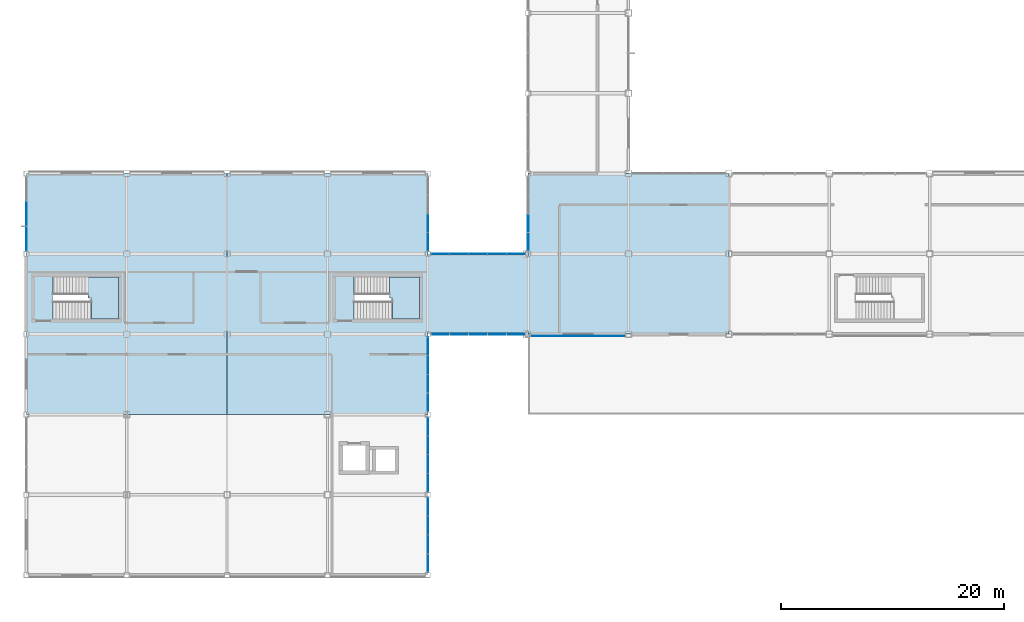
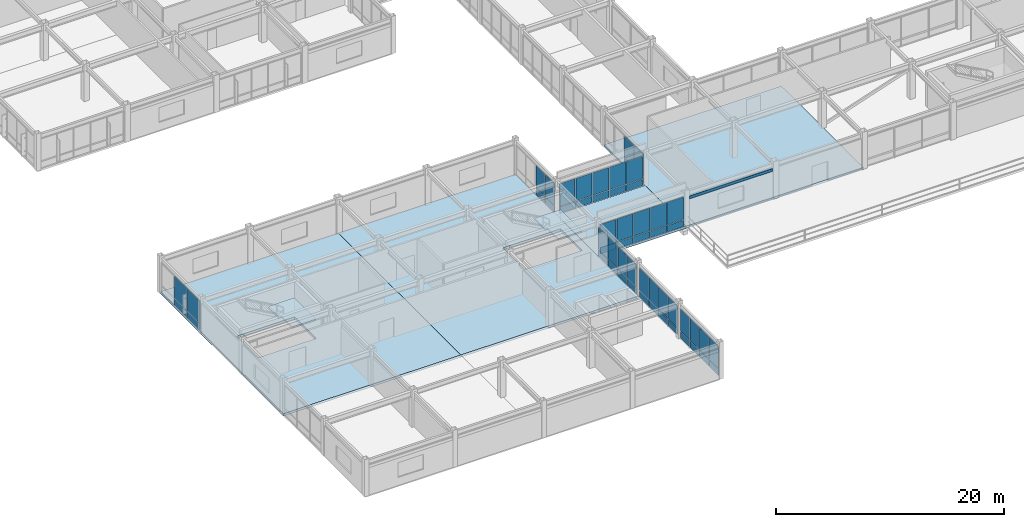
# One storey, part 89 of 122: 57 plates, 6 slabs, 10 elements without a shape of their own.
"""IFC4 building model written with IfcOpenShell, lengths in metres."""

from ifc_helpers import new_model, si_unit, direction, frame, origin, origin_2d, place, context, subcontext, project, spatial, polyline, rectangle, outline, extrude, material, layer, layer_set, type_object, element, aggregate, save


model = new_model("IFC4")

# Units and contexts
model_context = context("Model", 3, precision=1e-05, world=origin(), true_north=direction((0.0, 1.0)))
body_context = subcontext(model_context, "Body", "Model", "MODEL_VIEW")
ifc_project = project(units=[si_unit("LENGTHUNIT", "METRE"), si_unit("AREAUNIT", "SQUARE_METRE"), si_unit("VOLUMEUNIT", "CUBIC_METRE"), si_unit("PLANEANGLEUNIT", "RADIAN"), si_unit("MASSUNIT", "GRAM", prefix="KILO")], contexts=[model_context])

# Site, building, storey
site_placement = place(None, origin())
site = spatial("IfcSite", under=ifc_project, at=site_placement, CompositionType="ELEMENT")
building_placement = place(site_placement, origin())
building = spatial("IfcBuilding", under=site, at=building_placement, Name="Kazanami Central Library", CompositionType="ELEMENT")
storey_placement = place(building_placement, frame((0.0, 0.0, 4.800048828125)))
storey = spatial("IfcBuildingStorey", under=building, at=storey_placement, Name="L02", CompositionType="ELEMENT", Elevation=4.800048828125)

# Curtain wall, plates
ifc_material_1 = material(Name="Acid-Etched Low-E Laminated Glass", Category="glass")
curtain_wall_type_1 = type_object("IfcCurtainWallType", Name="CW-8550x3290-M180", PredefinedType="USERDEFINED", material=ifc_material_1)
curtain_wall_1_placement = place(storey_placement, origin())
curtain_wall_1 = element("IfcCurtainWall", 1, at=curtain_wall_1_placement, inside=storey, type_object=curtain_wall_type_1, Name="Covered Link Bridge Curtain Wall CW-12 L02 S-D-04", ObjectType="UNITISED CURTAIN WALL", PredefinedType="USERDEFINED")
ifc_material_2 = material(Name="Low-E Insulated Triple Glass", Category="glass")
ifc_layer_1 = layer(ifc_material_2, 0.0400390625, Name="Low-E Insulated Triple Glass")
ifc_layer_set_1 = layer_set([ifc_layer_1], Name="Low-E Insulated Triple Glass")
plate_type_1 = type_object("IfcPlateType", Name="PLT-CW-P3", PredefinedType="CURTAIN_PANEL", material=ifc_layer_set_1)
plate_1_placement = place(storey_placement, frame((37.094970703125, 21.60009765625, 0.81005859375), z_axis=(0.0, 0.0, 1.0), x_axis=(1.0, 0.0, 0.0)))
plate_1 = element("IfcPlate", 2, at=plate_1_placement, type_object=plate_type_1, Name="CW-12 panel 1.2", PredefinedType="CURTAIN_PANEL", context=body_context, shape_type="SweptSolid", body=[
    extrude(rectangle(XDim=1.6201171875, YDim=0.0400390625, at=origin_2d()), origin(), (0.0, 0.0, 1.0), 2.419921875),
])
plate_2_placement = place(storey_placement, frame((38.7900390625, 21.60009765625, 0.81005859375), z_axis=(0.0, 0.0, 1.0), x_axis=(1.0, 0.0, 0.0)))
plate_2 = element("IfcPlate", 3, at=plate_2_placement, type_object=plate_type_1, Name="CW-12 panel 2.2", PredefinedType="CURTAIN_PANEL", context=body_context, shape_type="SweptSolid", body=[
    extrude(rectangle(XDim=1.64990234375, YDim=0.0400390625, at=origin_2d()), origin(), (0.0, 0.0, 1.0), 2.419921875),
])
plate_3_placement = place(storey_placement, frame((40.5, 21.60009765625, 0.81005859375), z_axis=(0.0, 0.0, 1.0), x_axis=(1.0, 0.0, 0.0)))
plate_3 = element("IfcPlate", 4, at=plate_3_placement, type_object=plate_type_1, Name="CW-12 panel 3.2", PredefinedType="CURTAIN_PANEL", context=body_context, shape_type="SweptSolid", body=[
    extrude(rectangle(XDim=1.64990234375, YDim=0.0400390625, at=origin_2d()), origin(), (0.0, 0.0, 1.0), 2.419921875),
])
plate_4_placement = place(storey_placement, frame((42.2099609375, 21.60009765625, 0.81005859375), z_axis=(0.0, 0.0, 1.0), x_axis=(1.0, 0.0, 0.0)))
plate_4 = element("IfcPlate", 5, at=plate_4_placement, type_object=plate_type_1, Name="CW-12 panel 4.2", PredefinedType="CURTAIN_PANEL", context=body_context, shape_type="SweptSolid", body=[
    extrude(rectangle(XDim=1.64990234375, YDim=0.0400390625, at=origin_2d()), origin(), (0.0, 0.0, 1.0), 2.419921875),
])
plate_5_placement = place(storey_placement, frame((43.905029296875, 21.60009765625, 0.81005859375), z_axis=(0.0, 0.0, 1.0), x_axis=(1.0, 0.0, 0.0)))
plate_5 = element("IfcPlate", 6, at=plate_5_placement, type_object=plate_type_1, Name="CW-12 panel 5.2", PredefinedType="CURTAIN_PANEL", context=body_context, shape_type="SweptSolid", body=[
    extrude(rectangle(XDim=1.6201171875, YDim=0.0400390625, at=origin_2d()), origin(), (0.0, 0.0, 1.0), 2.419921875),
])

curtain_wall_2_placement = place(storey_placement, origin())
curtain_wall_2 = element("IfcCurtainWall", 7, at=curtain_wall_2_placement, inside=storey, type_object=curtain_wall_type_1, Name="Covered Link Bridge Curtain Wall CW-12 L02 N-E-04", ObjectType="UNITISED CURTAIN WALL", PredefinedType="USERDEFINED")
plate_6_placement = place(storey_placement, frame((43.905029296875, 28.800048828125, 0.81005859375), z_axis=(0.0, 0.0, 1.0), x_axis=(-1.0, 0.0, 0.0)))
plate_6 = element("IfcPlate", 8, at=plate_6_placement, type_object=plate_type_1, Name="CW-12 panel 1.2", PredefinedType="CURTAIN_PANEL", context=body_context, shape_type="SweptSolid", body=[
    extrude(rectangle(XDim=1.6201171875, YDim=0.0400390625, at=origin_2d()), origin(), (0.0, 0.0, 1.0), 2.419921875),
])
plate_7_placement = place(storey_placement, frame((42.2099609375, 28.800048828125, 0.81005859375), z_axis=(0.0, 0.0, 1.0), x_axis=(-1.0, 0.0, 0.0)))
plate_7 = element("IfcPlate", 9, at=plate_7_placement, type_object=plate_type_1, Name="CW-12 panel 2.2", PredefinedType="CURTAIN_PANEL", context=body_context, shape_type="SweptSolid", body=[
    extrude(rectangle(XDim=1.64990234375, YDim=0.0400390625, at=origin_2d()), origin(), (0.0, 0.0, 1.0), 2.419921875),
])
plate_8_placement = place(storey_placement, frame((40.5, 28.800048828125, 0.81005859375), z_axis=(0.0, 0.0, 1.0), x_axis=(-1.0, 0.0, 0.0)))
plate_8 = element("IfcPlate", 10, at=plate_8_placement, type_object=plate_type_1, Name="CW-12 panel 3.2", PredefinedType="CURTAIN_PANEL", context=body_context, shape_type="SweptSolid", body=[
    extrude(rectangle(XDim=1.64990234375, YDim=0.0400390625, at=origin_2d()), origin(), (0.0, 0.0, 1.0), 2.419921875),
])
plate_9_placement = place(storey_placement, frame((38.7900390625, 28.800048828125, 0.81005859375), z_axis=(0.0, 0.0, 1.0), x_axis=(-1.0, 0.0, 0.0)))
plate_9 = element("IfcPlate", 11, at=plate_9_placement, type_object=plate_type_1, Name="CW-12 panel 4.2", PredefinedType="CURTAIN_PANEL", context=body_context, shape_type="SweptSolid", body=[
    extrude(rectangle(XDim=1.64990234375, YDim=0.0400390625, at=origin_2d()), origin(), (0.0, 0.0, 1.0), 2.419921875),
])
plate_10_placement = place(storey_placement, frame((37.094970703125, 28.800048828125, 0.81005859375), z_axis=(0.0, 0.0, 1.0), x_axis=(-1.0, 0.0, 0.0)))
plate_10 = element("IfcPlate", 12, at=plate_10_placement, type_object=plate_type_1, Name="CW-12 panel 5.2", PredefinedType="CURTAIN_PANEL", context=body_context, shape_type="SweptSolid", body=[
    extrude(rectangle(XDim=1.6201171875, YDim=0.0400390625, at=origin_2d()), origin(), (0.0, 0.0, 1.0), 2.419921875),
])

curtain_wall_type_2 = type_object("IfcCurtainWallType", Name="CW-6750x3255-M225", PredefinedType="USERDEFINED", material=ifc_material_1)
curtain_wall_3_placement = place(storey_placement, origin())
curtain_wall_3 = element("IfcCurtainWall", 13, at=curtain_wall_3_placement, inside=storey, type_object=curtain_wall_type_2, Name="Unitised Curtain Wall CW-20 L02 W-1-04", ObjectType="UNITISED CURTAIN WALL", PredefinedType="USERDEFINED")
plate_11_placement = place(storey_placement, frame((0.0, 30.166259765625, 0.8125), z_axis=(0.0, 0.0, 1.0), x_axis=(0.0, 1.0, 0.0)))
plate_11 = element("IfcPlate", 14, at=plate_11_placement, type_object=plate_type_1, Name="CW-20 panel 1.2", PredefinedType="CURTAIN_PANEL", context=body_context, shape_type="SweptSolid", body=[
    extrude(rectangle(XDim=2.152587890625, YDim=0.0400390625, at=origin_2d()), origin(), (0.0, 0.0, 1.0), 2.37744140625),
])
plate_12_placement = place(storey_placement, frame((0.0, 32.39990234375, 0.8125), z_axis=(0.0, 0.0, 1.0), x_axis=(0.0, 1.0, 0.0)))
plate_12 = element("IfcPlate", 15, at=plate_12_placement, type_object=plate_type_1, Name="CW-20 panel 2.2", PredefinedType="CURTAIN_PANEL", context=body_context, shape_type="SweptSolid", body=[
    extrude(rectangle(XDim=2.18505859375, YDim=0.0400390625, at=origin_2d()), origin(), (0.0, 0.0, 1.0), 2.37744140625),
])

curtain_wall_type_3 = type_object("IfcCurtainWallType", Name="CW-6750x3255-M180", PredefinedType="USERDEFINED", material=ifc_material_1)
curtain_wall_4_placement = place(storey_placement, origin())
curtain_wall_4 = element("IfcCurtainWall", 16, at=curtain_wall_4_placement, inside=storey, type_object=curtain_wall_type_3, Name="Covered Link Bridge Curtain Wall CW-21 L02 E-5-00", ObjectType="UNITISED CURTAIN WALL", PredefinedType="USERDEFINED")
plate_13_placement = place(storey_placement, frame((36.0, 6.1162109375, 0.81005859375), z_axis=(0.0, 0.0, 1.0), x_axis=(0.0, -1.0, 0.0)))
plate_13 = element("IfcPlate", 17, at=plate_13_placement, type_object=plate_type_1, Name="CW-21 panel 1.2", PredefinedType="CURTAIN_PANEL", context=body_context, shape_type="SweptSolid", body=[
    extrude(rectangle(XDim=1.597412109375, YDim=0.0400390625, at=origin_2d()), origin(), (0.0, 0.0, 1.0), 2.385009765625),
])
plate_14_placement = place(storey_placement, frame((36.0, 4.44384765625, 0.81005859375), z_axis=(0.0, 0.0, 1.0), x_axis=(0.0, -1.0, 0.0)))
plate_14 = element("IfcPlate", 18, at=plate_14_placement, type_object=plate_type_1, Name="CW-21 panel 2.2", PredefinedType="CURTAIN_PANEL", context=body_context, shape_type="SweptSolid", body=[
    extrude(rectangle(XDim=1.62744140625, YDim=0.0400390625, at=origin_2d()), origin(), (0.0, 0.0, 1.0), 2.385009765625),
])
plate_15_placement = place(storey_placement, frame((36.0, 2.75634765625, 0.81005859375), z_axis=(0.0, 0.0, 1.0), x_axis=(0.0, -1.0, 0.0)))
plate_15 = element("IfcPlate", 19, at=plate_15_placement, type_object=plate_type_1, Name="CW-21 panel 3.2", PredefinedType="CURTAIN_PANEL", context=body_context, shape_type="SweptSolid", body=[
    extrude(rectangle(XDim=1.62744140625, YDim=0.0400390625, at=origin_2d()), origin(), (0.0, 0.0, 1.0), 2.385009765625),
])
plate_16_placement = place(storey_placement, frame((36.0, 1.083740234375, 0.81005859375), z_axis=(0.0, 0.0, 1.0), x_axis=(0.0, -1.0, 0.0)))
plate_16 = element("IfcPlate", 20, at=plate_16_placement, type_object=plate_type_1, Name="CW-21 panel 4.2", PredefinedType="CURTAIN_PANEL", context=body_context, shape_type="SweptSolid", body=[
    extrude(rectangle(XDim=1.597412109375, YDim=0.0400390625, at=origin_2d()), origin(), (0.0, 0.0, 1.0), 2.385009765625),
])

curtain_wall_5_placement = place(storey_placement, origin())
curtain_wall_5 = element("IfcCurtainWall", 21, at=curtain_wall_5_placement, inside=storey, type_object=curtain_wall_type_3, Name="Covered Link Bridge Curtain Wall CW-21 L02 E-5-01", ObjectType="UNITISED CURTAIN WALL", PredefinedType="USERDEFINED")
plate_17_placement = place(storey_placement, frame((36.0, 13.316162109375, 0.81005859375), z_axis=(0.0, 0.0, 1.0), x_axis=(0.0, -1.0, 0.0)))
plate_17 = element("IfcPlate", 22, at=plate_17_placement, type_object=plate_type_1, Name="CW-21 panel 1.2", PredefinedType="CURTAIN_PANEL", context=body_context, shape_type="SweptSolid", body=[
    extrude(rectangle(XDim=1.597412109375, YDim=0.0400390625, at=origin_2d()), origin(), (0.0, 0.0, 1.0), 2.385009765625),
])
plate_18_placement = place(storey_placement, frame((36.0, 11.643798828125, 0.81005859375), z_axis=(0.0, 0.0, 1.0), x_axis=(0.0, -1.0, 0.0)))
plate_18 = element("IfcPlate", 23, at=plate_18_placement, type_object=plate_type_1, Name="CW-21 panel 2.2", PredefinedType="CURTAIN_PANEL", context=body_context, shape_type="SweptSolid", body=[
    extrude(rectangle(XDim=1.62744140625, YDim=0.0400390625, at=origin_2d()), origin(), (0.0, 0.0, 1.0), 2.385009765625),
])
plate_19_placement = place(storey_placement, frame((36.0, 9.956298828125, 0.81005859375), z_axis=(0.0, 0.0, 1.0), x_axis=(0.0, -1.0, 0.0)))
plate_19 = element("IfcPlate", 24, at=plate_19_placement, type_object=plate_type_1, Name="CW-21 panel 3.2", PredefinedType="CURTAIN_PANEL", context=body_context, shape_type="SweptSolid", body=[
    extrude(rectangle(XDim=1.62744140625, YDim=0.0400390625, at=origin_2d()), origin(), (0.0, 0.0, 1.0), 2.385009765625),
])
plate_20_placement = place(storey_placement, frame((36.0, 8.28369140625, 0.81005859375), z_axis=(0.0, 0.0, 1.0), x_axis=(0.0, -1.0, 0.0)))
plate_20 = element("IfcPlate", 25, at=plate_20_placement, type_object=plate_type_1, Name="CW-21 panel 4.2", PredefinedType="CURTAIN_PANEL", context=body_context, shape_type="SweptSolid", body=[
    extrude(rectangle(XDim=1.597412109375, YDim=0.0400390625, at=origin_2d()), origin(), (0.0, 0.0, 1.0), 2.385009765625),
])

curtain_wall_6_placement = place(storey_placement, origin())
curtain_wall_6 = element("IfcCurtainWall", 26, at=curtain_wall_6_placement, inside=storey, type_object=curtain_wall_type_3, Name="Covered Link Bridge Curtain Wall CW-21 L02 E-5-02", ObjectType="UNITISED CURTAIN WALL", PredefinedType="USERDEFINED")
plate_21_placement = place(storey_placement, frame((36.0, 20.516357421875, 0.81005859375), z_axis=(0.0, 0.0, 1.0), x_axis=(0.0, -1.0, 0.0)))
plate_21 = element("IfcPlate", 27, at=plate_21_placement, type_object=plate_type_1, Name="CW-21 panel 1.2", PredefinedType="CURTAIN_PANEL", context=body_context, shape_type="SweptSolid", body=[
    extrude(rectangle(XDim=1.597412109375, YDim=0.0400390625, at=origin_2d()), origin(), (0.0, 0.0, 1.0), 2.385009765625),
])
plate_22_placement = place(storey_placement, frame((36.0, 18.84375, 0.81005859375), z_axis=(0.0, 0.0, 1.0), x_axis=(0.0, -1.0, 0.0)))
plate_22 = element("IfcPlate", 28, at=plate_22_placement, type_object=plate_type_1, Name="CW-21 panel 2.2", PredefinedType="CURTAIN_PANEL", context=body_context, shape_type="SweptSolid", body=[
    extrude(rectangle(XDim=1.62744140625, YDim=0.0400390625, at=origin_2d()), origin(), (0.0, 0.0, 1.0), 2.385009765625),
])
plate_23_placement = place(storey_placement, frame((36.0, 17.15625, 0.81005859375), z_axis=(0.0, 0.0, 1.0), x_axis=(0.0, -1.0, 0.0)))
plate_23 = element("IfcPlate", 29, at=plate_23_placement, type_object=plate_type_1, Name="CW-21 panel 3.2", PredefinedType="CURTAIN_PANEL", context=body_context, shape_type="SweptSolid", body=[
    extrude(rectangle(XDim=1.62744140625, YDim=0.0400390625, at=origin_2d()), origin(), (0.0, 0.0, 1.0), 2.385009765625),
])
plate_24_placement = place(storey_placement, frame((36.0, 15.483642578125, 0.81005859375), z_axis=(0.0, 0.0, 1.0), x_axis=(0.0, -1.0, 0.0)))
plate_24 = element("IfcPlate", 30, at=plate_24_placement, type_object=plate_type_1, Name="CW-21 panel 4.2", PredefinedType="CURTAIN_PANEL", context=body_context, shape_type="SweptSolid", body=[
    extrude(rectangle(XDim=1.597412109375, YDim=0.0400390625, at=origin_2d()), origin(), (0.0, 0.0, 1.0), 2.385009765625),
])

curtain_wall_7_placement = place(storey_placement, origin())
curtain_wall_7 = element("IfcCurtainWall", 31, at=curtain_wall_7_placement, inside=storey, type_object=curtain_wall_type_3, Name="Covered Link Bridge Curtain Wall CW-21 L02 E-5-04", ObjectType="UNITISED CURTAIN WALL", PredefinedType="USERDEFINED")
plate_25_placement = place(storey_placement, frame((36.0, 31.55615234375, 0.81005859375), z_axis=(0.0, 0.0, 1.0), x_axis=(0.0, -1.0, 0.0)))
plate_25 = element("IfcPlate", 32, at=plate_25_placement, type_object=plate_type_1, Name="CW-21 panel 3.2", PredefinedType="CURTAIN_PANEL", context=body_context, shape_type="SweptSolid", body=[
    extrude(rectangle(XDim=1.62744140625, YDim=0.0400390625, at=origin_2d()), origin(), (0.0, 0.0, 1.0), 2.385009765625),
])
plate_26_placement = place(storey_placement, frame((36.0, 29.8837890625, 0.81005859375), z_axis=(0.0, 0.0, 1.0), x_axis=(0.0, -1.0, 0.0)))
plate_26 = element("IfcPlate", 33, at=plate_26_placement, type_object=plate_type_1, Name="CW-21 panel 4.2", PredefinedType="CURTAIN_PANEL", context=body_context, shape_type="SweptSolid", body=[
    extrude(rectangle(XDim=1.597412109375, YDim=0.0400390625, at=origin_2d()), origin(), (0.0, 0.0, 1.0), 2.385009765625),
])

curtain_wall_8_placement = place(storey_placement, origin())
curtain_wall_8 = element("IfcCurtainWall", 34, at=curtain_wall_8_placement, inside=storey, type_object=curtain_wall_type_3, Name="Covered Link Bridge Curtain Wall CW-21 L02 W-6-04", ObjectType="UNITISED CURTAIN WALL", PredefinedType="USERDEFINED")
plate_27_placement = place(storey_placement, frame((45.0, 29.88623046875, 0.81494140625), z_axis=(0.0, 0.0, 1.0), x_axis=(0.0, 1.0, 0.0)))
plate_27 = element("IfcPlate", 35, at=plate_27_placement, type_object=plate_type_1, Name="CW-21 panel 1.2", PredefinedType="CURTAIN_PANEL", context=body_context, shape_type="SweptSolid", body=[
    extrude(rectangle(XDim=1.58251953125, YDim=0.0400390625, at=origin_2d()), origin(), (0.0, 0.0, 1.0), 2.3701171875),
])
plate_28_placement = place(storey_placement, frame((45.0, 31.55615234375, 0.81494140625), z_axis=(0.0, 0.0, 1.0), x_axis=(0.0, 1.0, 0.0)))
plate_28 = element("IfcPlate", 36, at=plate_28_placement, type_object=plate_type_1, Name="CW-21 panel 2.2", PredefinedType="CURTAIN_PANEL", context=body_context, shape_type="SweptSolid", body=[
    extrude(rectangle(XDim=1.617431640625, YDim=0.0400390625, at=origin_2d()), origin(), (0.0, 0.0, 1.0), 2.3701171875),
])
ifc_material_3 = material(Name="Anodised Aluminium A5052-H32", Category="aluminium")
ifc_layer_2 = layer(ifc_material_3, 0.06005859375, Name="Anodised Aluminium A5052-H32")
ifc_layer_set_2 = layer_set([ifc_layer_2], Name="Anodised Aluminium A5052-H32")
plate_type_2 = type_object("IfcPlateType", Name="PLT-CW-SP1", PredefinedType="CURTAIN_PANEL", material=ifc_layer_set_2)
plate_29_placement = place(storey_placement, frame((45.0, 29.88623046875, 0.06982421875), z_axis=(0.0, 0.0, 1.0), x_axis=(0.0, 1.0, 0.0)))
plate_29 = element("IfcPlate", 37, at=plate_29_placement, type_object=plate_type_2, Name="CW-21 panel 1.1", PredefinedType="CURTAIN_PANEL", context=body_context, shape_type="SweptSolid", body=[
    extrude(rectangle(XDim=1.58251953125, YDim=0.06005859375, at=origin_2d()), origin(), (0.0, 0.0, 1.0), 0.675048828125),
])
plate_30_placement = place(storey_placement, frame((45.0, 31.55615234375, 0.06982421875), z_axis=(0.0, 0.0, 1.0), x_axis=(0.0, 1.0, 0.0)))
plate_30 = element("IfcPlate", 38, at=plate_30_placement, type_object=plate_type_2, Name="CW-21 panel 2.1", PredefinedType="CURTAIN_PANEL", context=body_context, shape_type="SweptSolid", body=[
    extrude(rectangle(XDim=1.617431640625, YDim=0.06005859375, at=origin_2d()), origin(), (0.0, 0.0, 1.0), 0.675048828125),
])
aggregate(curtain_wall_8, [plate_29, plate_27, plate_30, plate_28])

# Plate
ifc_layer_3 = layer(ifc_material_3, 0.052001953125, Name="Anodised Aluminium A5052-H32")
ifc_layer_set_3 = layer_set([ifc_layer_3], Name="Anodised Aluminium A5052-H32")
plate_type_3 = type_object("IfcPlateType", Name="PLT-CW-SP2", PredefinedType="CURTAIN_PANEL", material=ifc_layer_set_3)
plate_31_placement = place(storey_placement, frame((37.094970703125, 21.60009765625, 0.06005859375), z_axis=(0.0, 0.0, 1.0), x_axis=(1.0, 0.0, 0.0)))
plate_31 = element("IfcPlate", 39, at=plate_31_placement, type_object=plate_type_3, Name="CW-12 panel 1.1", PredefinedType="CURTAIN_PANEL", context=body_context, shape_type="SweptSolid", body=[
    extrude(rectangle(XDim=1.6201171875, YDim=0.052001953125, at=origin_2d()), origin(), (0.0, 0.0, 1.0), 0.68994140625),
])

plate_32_placement = place(storey_placement, frame((38.7900390625, 21.60009765625, 0.06005859375), z_axis=(0.0, 0.0, 1.0), x_axis=(1.0, 0.0, 0.0)))
plate_32 = element("IfcPlate", 40, at=plate_32_placement, type_object=plate_type_3, Name="CW-12 panel 2.1", PredefinedType="CURTAIN_PANEL", context=body_context, shape_type="SweptSolid", body=[
    extrude(rectangle(XDim=1.64990234375, YDim=0.052001953125, at=origin_2d()), origin(), (0.0, 0.0, 1.0), 0.68994140625),
])

plate_33_placement = place(storey_placement, frame((40.5, 21.60009765625, 0.06005859375), z_axis=(0.0, 0.0, 1.0), x_axis=(1.0, 0.0, 0.0)))
plate_33 = element("IfcPlate", 41, at=plate_33_placement, type_object=plate_type_3, Name="CW-12 panel 3.1", PredefinedType="CURTAIN_PANEL", context=body_context, shape_type="SweptSolid", body=[
    extrude(rectangle(XDim=1.64990234375, YDim=0.052001953125, at=origin_2d()), origin(), (0.0, 0.0, 1.0), 0.68994140625),
])

plate_34_placement = place(storey_placement, frame((42.2099609375, 21.60009765625, 0.06005859375), z_axis=(0.0, 0.0, 1.0), x_axis=(1.0, 0.0, 0.0)))
plate_34 = element("IfcPlate", 42, at=plate_34_placement, type_object=plate_type_3, Name="CW-12 panel 4.1", PredefinedType="CURTAIN_PANEL", context=body_context, shape_type="SweptSolid", body=[
    extrude(rectangle(XDim=1.64990234375, YDim=0.052001953125, at=origin_2d()), origin(), (0.0, 0.0, 1.0), 0.68994140625),
])

plate_35_placement = place(storey_placement, frame((43.905029296875, 21.60009765625, 0.06005859375), z_axis=(0.0, 0.0, 1.0), x_axis=(1.0, 0.0, 0.0)))
plate_35 = element("IfcPlate", 43, at=plate_35_placement, type_object=plate_type_3, Name="CW-12 panel 5.1", PredefinedType="CURTAIN_PANEL", context=body_context, shape_type="SweptSolid", body=[
    extrude(rectangle(XDim=1.6201171875, YDim=0.052001953125, at=origin_2d()), origin(), (0.0, 0.0, 1.0), 0.68994140625),
])

aggregate(curtain_wall_1, [plate_31, plate_1, plate_32, plate_2, plate_33, plate_3, plate_34, plate_4, plate_35, plate_5])

plate_36_placement = place(storey_placement, frame((43.905029296875, 28.800048828125, 0.06005859375), z_axis=(0.0, 0.0, 1.0), x_axis=(-1.0, 0.0, 0.0)))
plate_36 = element("IfcPlate", 44, at=plate_36_placement, type_object=plate_type_3, Name="CW-12 panel 1.1", PredefinedType="CURTAIN_PANEL", context=body_context, shape_type="SweptSolid", body=[
    extrude(rectangle(XDim=1.6201171875, YDim=0.052001953125, at=origin_2d()), origin(), (0.0, 0.0, 1.0), 0.68994140625),
])

plate_37_placement = place(storey_placement, frame((42.2099609375, 28.800048828125, 0.06005859375), z_axis=(0.0, 0.0, 1.0), x_axis=(-1.0, 0.0, 0.0)))
plate_37 = element("IfcPlate", 45, at=plate_37_placement, type_object=plate_type_3, Name="CW-12 panel 2.1", PredefinedType="CURTAIN_PANEL", context=body_context, shape_type="SweptSolid", body=[
    extrude(rectangle(XDim=1.64990234375, YDim=0.052001953125, at=origin_2d()), origin(), (0.0, 0.0, 1.0), 0.68994140625),
])

plate_38_placement = place(storey_placement, frame((40.5, 28.800048828125, 0.06005859375), z_axis=(0.0, 0.0, 1.0), x_axis=(-1.0, 0.0, 0.0)))
plate_38 = element("IfcPlate", 46, at=plate_38_placement, type_object=plate_type_3, Name="CW-12 panel 3.1", PredefinedType="CURTAIN_PANEL", context=body_context, shape_type="SweptSolid", body=[
    extrude(rectangle(XDim=1.64990234375, YDim=0.052001953125, at=origin_2d()), origin(), (0.0, 0.0, 1.0), 0.68994140625),
])

plate_39_placement = place(storey_placement, frame((38.7900390625, 28.800048828125, 0.06005859375), z_axis=(0.0, 0.0, 1.0), x_axis=(-1.0, 0.0, 0.0)))
plate_39 = element("IfcPlate", 47, at=plate_39_placement, type_object=plate_type_3, Name="CW-12 panel 4.1", PredefinedType="CURTAIN_PANEL", context=body_context, shape_type="SweptSolid", body=[
    extrude(rectangle(XDim=1.64990234375, YDim=0.052001953125, at=origin_2d()), origin(), (0.0, 0.0, 1.0), 0.68994140625),
])

plate_40_placement = place(storey_placement, frame((37.094970703125, 28.800048828125, 0.06005859375), z_axis=(0.0, 0.0, 1.0), x_axis=(-1.0, 0.0, 0.0)))
plate_40 = element("IfcPlate", 48, at=plate_40_placement, type_object=plate_type_3, Name="CW-12 panel 5.1", PredefinedType="CURTAIN_PANEL", context=body_context, shape_type="SweptSolid", body=[
    extrude(rectangle(XDim=1.6201171875, YDim=0.052001953125, at=origin_2d()), origin(), (0.0, 0.0, 1.0), 0.68994140625),
])

aggregate(curtain_wall_2, [plate_36, plate_6, plate_37, plate_7, plate_38, plate_8, plate_39, plate_9, plate_40, plate_10])

plate_41_placement = place(storey_placement, frame((0.0, 30.166259765625, 0.06494140625), z_axis=(0.0, 0.0, 1.0), x_axis=(0.0, 1.0, 0.0)))
plate_41 = element("IfcPlate", 49, at=plate_41_placement, type_object=plate_type_3, Name="CW-20 panel 1.1", PredefinedType="CURTAIN_PANEL", context=body_context, shape_type="SweptSolid", body=[
    extrude(rectangle(XDim=2.152587890625, YDim=0.052001953125, at=origin_2d()), origin(), (0.0, 0.0, 1.0), 0.6826171875),
])

plate_42_placement = place(storey_placement, frame((0.0, 32.39990234375, 0.06494140625), z_axis=(0.0, 0.0, 1.0), x_axis=(0.0, 1.0, 0.0)))
plate_42 = element("IfcPlate", 50, at=plate_42_placement, type_object=plate_type_3, Name="CW-20 panel 2.1", PredefinedType="CURTAIN_PANEL", context=body_context, shape_type="SweptSolid", body=[
    extrude(rectangle(XDim=2.18505859375, YDim=0.052001953125, at=origin_2d()), origin(), (0.0, 0.0, 1.0), 0.6826171875),
])

aggregate(curtain_wall_3, [plate_41, plate_11, plate_42, plate_12])

plate_43_placement = place(storey_placement, frame((36.0, 6.1162109375, 0.06005859375), z_axis=(0.0, 0.0, 1.0), x_axis=(0.0, -1.0, 0.0)))
plate_43 = element("IfcPlate", 51, at=plate_43_placement, type_object=plate_type_3, Name="CW-21 panel 1.1", PredefinedType="CURTAIN_PANEL", context=body_context, shape_type="SweptSolid", body=[
    extrude(rectangle(XDim=1.597412109375, YDim=0.052001953125, at=origin_2d()), origin(), (0.0, 0.0, 1.0), 0.68994140625),
])

plate_44_placement = place(storey_placement, frame((36.0, 4.44384765625, 0.06005859375), z_axis=(0.0, 0.0, 1.0), x_axis=(0.0, -1.0, 0.0)))
plate_44 = element("IfcPlate", 52, at=plate_44_placement, type_object=plate_type_3, Name="CW-21 panel 2.1", PredefinedType="CURTAIN_PANEL", context=body_context, shape_type="SweptSolid", body=[
    extrude(rectangle(XDim=1.62744140625, YDim=0.052001953125, at=origin_2d()), origin(), (0.0, 0.0, 1.0), 0.68994140625),
])

plate_45_placement = place(storey_placement, frame((36.0, 2.75634765625, 0.06005859375), z_axis=(0.0, 0.0, 1.0), x_axis=(0.0, -1.0, 0.0)))
plate_45 = element("IfcPlate", 53, at=plate_45_placement, type_object=plate_type_3, Name="CW-21 panel 3.1", PredefinedType="CURTAIN_PANEL", context=body_context, shape_type="SweptSolid", body=[
    extrude(rectangle(XDim=1.62744140625, YDim=0.052001953125, at=origin_2d()), origin(), (0.0, 0.0, 1.0), 0.68994140625),
])

plate_46_placement = place(storey_placement, frame((36.0, 1.083740234375, 0.06005859375), z_axis=(0.0, 0.0, 1.0), x_axis=(0.0, -1.0, 0.0)))
plate_46 = element("IfcPlate", 54, at=plate_46_placement, type_object=plate_type_3, Name="CW-21 panel 4.1", PredefinedType="CURTAIN_PANEL", context=body_context, shape_type="SweptSolid", body=[
    extrude(rectangle(XDim=1.597412109375, YDim=0.052001953125, at=origin_2d()), origin(), (0.0, 0.0, 1.0), 0.68994140625),
])

aggregate(curtain_wall_4, [plate_43, plate_13, plate_44, plate_14, plate_45, plate_15, plate_46, plate_16])

plate_47_placement = place(storey_placement, frame((36.0, 13.316162109375, 0.06005859375), z_axis=(0.0, 0.0, 1.0), x_axis=(0.0, -1.0, 0.0)))
plate_47 = element("IfcPlate", 55, at=plate_47_placement, type_object=plate_type_3, Name="CW-21 panel 1.1", PredefinedType="CURTAIN_PANEL", context=body_context, shape_type="SweptSolid", body=[
    extrude(rectangle(XDim=1.597412109375, YDim=0.052001953125, at=origin_2d()), origin(), (0.0, 0.0, 1.0), 0.68994140625),
])

plate_48_placement = place(storey_placement, frame((36.0, 11.643798828125, 0.06005859375), z_axis=(0.0, 0.0, 1.0), x_axis=(0.0, -1.0, 0.0)))
plate_48 = element("IfcPlate", 56, at=plate_48_placement, type_object=plate_type_3, Name="CW-21 panel 2.1", PredefinedType="CURTAIN_PANEL", context=body_context, shape_type="SweptSolid", body=[
    extrude(rectangle(XDim=1.62744140625, YDim=0.052001953125, at=origin_2d()), origin(), (0.0, 0.0, 1.0), 0.68994140625),
])

plate_49_placement = place(storey_placement, frame((36.0, 9.956298828125, 0.06005859375), z_axis=(0.0, 0.0, 1.0), x_axis=(0.0, -1.0, 0.0)))
plate_49 = element("IfcPlate", 57, at=plate_49_placement, type_object=plate_type_3, Name="CW-21 panel 3.1", PredefinedType="CURTAIN_PANEL", context=body_context, shape_type="SweptSolid", body=[
    extrude(rectangle(XDim=1.62744140625, YDim=0.052001953125, at=origin_2d()), origin(), (0.0, 0.0, 1.0), 0.68994140625),
])

plate_50_placement = place(storey_placement, frame((36.0, 8.28369140625, 0.06005859375), z_axis=(0.0, 0.0, 1.0), x_axis=(0.0, -1.0, 0.0)))
plate_50 = element("IfcPlate", 58, at=plate_50_placement, type_object=plate_type_3, Name="CW-21 panel 4.1", PredefinedType="CURTAIN_PANEL", context=body_context, shape_type="SweptSolid", body=[
    extrude(rectangle(XDim=1.597412109375, YDim=0.052001953125, at=origin_2d()), origin(), (0.0, 0.0, 1.0), 0.68994140625),
])

aggregate(curtain_wall_5, [plate_47, plate_17, plate_48, plate_18, plate_49, plate_19, plate_50, plate_20])

plate_51_placement = place(storey_placement, frame((36.0, 20.516357421875, 0.06005859375), z_axis=(0.0, 0.0, 1.0), x_axis=(0.0, -1.0, 0.0)))
plate_51 = element("IfcPlate", 59, at=plate_51_placement, type_object=plate_type_3, Name="CW-21 panel 1.1", PredefinedType="CURTAIN_PANEL", context=body_context, shape_type="SweptSolid", body=[
    extrude(rectangle(XDim=1.597412109375, YDim=0.052001953125, at=origin_2d()), origin(), (0.0, 0.0, 1.0), 0.68994140625),
])

plate_52_placement = place(storey_placement, frame((36.0, 18.84375, 0.06005859375), z_axis=(0.0, 0.0, 1.0), x_axis=(0.0, -1.0, 0.0)))
plate_52 = element("IfcPlate", 60, at=plate_52_placement, type_object=plate_type_3, Name="CW-21 panel 2.1", PredefinedType="CURTAIN_PANEL", context=body_context, shape_type="SweptSolid", body=[
    extrude(rectangle(XDim=1.62744140625, YDim=0.052001953125, at=origin_2d()), origin(), (0.0, 0.0, 1.0), 0.68994140625),
])

plate_53_placement = place(storey_placement, frame((36.0, 17.15625, 0.06005859375), z_axis=(0.0, 0.0, 1.0), x_axis=(0.0, -1.0, 0.0)))
plate_53 = element("IfcPlate", 61, at=plate_53_placement, type_object=plate_type_3, Name="CW-21 panel 3.1", PredefinedType="CURTAIN_PANEL", context=body_context, shape_type="SweptSolid", body=[
    extrude(rectangle(XDim=1.62744140625, YDim=0.052001953125, at=origin_2d()), origin(), (0.0, 0.0, 1.0), 0.68994140625),
])

plate_54_placement = place(storey_placement, frame((36.0, 15.483642578125, 0.06005859375), z_axis=(0.0, 0.0, 1.0), x_axis=(0.0, -1.0, 0.0)))
plate_54 = element("IfcPlate", 62, at=plate_54_placement, type_object=plate_type_3, Name="CW-21 panel 4.1", PredefinedType="CURTAIN_PANEL", context=body_context, shape_type="SweptSolid", body=[
    extrude(rectangle(XDim=1.597412109375, YDim=0.052001953125, at=origin_2d()), origin(), (0.0, 0.0, 1.0), 0.68994140625),
])

aggregate(curtain_wall_6, [plate_51, plate_21, plate_52, plate_22, plate_53, plate_23, plate_54, plate_24])

plate_55_placement = place(storey_placement, frame((36.0, 31.55615234375, 0.06005859375), z_axis=(0.0, 0.0, 1.0), x_axis=(0.0, -1.0, 0.0)))
plate_55 = element("IfcPlate", 63, at=plate_55_placement, type_object=plate_type_3, Name="CW-21 panel 3.1", PredefinedType="CURTAIN_PANEL", context=body_context, shape_type="SweptSolid", body=[
    extrude(rectangle(XDim=1.62744140625, YDim=0.052001953125, at=origin_2d()), origin(), (0.0, 0.0, 1.0), 0.68994140625),
])

plate_56_placement = place(storey_placement, frame((36.0, 29.8837890625, 0.06005859375), z_axis=(0.0, 0.0, 1.0), x_axis=(0.0, -1.0, 0.0)))
plate_56 = element("IfcPlate", 64, at=plate_56_placement, type_object=plate_type_3, Name="CW-21 panel 4.1", PredefinedType="CURTAIN_PANEL", context=body_context, shape_type="SweptSolid", body=[
    extrude(rectangle(XDim=1.597412109375, YDim=0.052001953125, at=origin_2d()), origin(), (0.0, 0.0, 1.0), 0.68994140625),
])

aggregate(curtain_wall_7, [plate_55, plate_25, plate_56, plate_26])

ifc_layer_4 = layer(ifc_material_3, 0.011962890625, Name="Anodised Aluminium A5052-H32")
ifc_layer_set_4 = layer_set([ifc_layer_4], Name="Anodised Aluminium A5052-H32")
plate_type_4 = type_object("IfcPlateType", Name="PLT-SPN-12", PredefinedType="SHEET", material=ifc_layer_set_4)
plate_57_placement = place(storey_placement, frame((49.47509765625, 21.43408203125, 2.94482421875), z_axis=(0.0, 0.0, 1.0), x_axis=(1.0, 0.0, 0.0)))
element("IfcPlate", 65, at=plate_57_placement, inside=storey, type_object=plate_type_4, Name="Architectural Spandrel Sheet SPN-12 L02 S-D-05", PredefinedType="SHEET", context=body_context, shape_type="SweptSolid", body=[
    extrude(rectangle(XDim=8.39990234375, YDim=0.011962890625, at=origin_2d()), origin(), (0.0, 0.0, 1.0), 0.300048828125),
])

# Slabs
ifc_material_4 = material(Name="Concrete Fc36 (36 MPa)", Category="concrete")
ifc_layer_5 = layer(ifc_material_4, 0.2451171875, Name="Concrete Fc36 (36 MPa)")
ifc_layer_set_5 = layer_set([ifc_layer_5], Name="Concrete Fc36 (36 MPa)")
slab_type_1 = type_object("IfcSlabType", Name="SLB-FLR-245", PredefinedType="FLOOR", material=ifc_layer_set_5)
slab_1_placement = place(storey_placement, frame((0.0, 0.0, -0.2451171875)))
element("IfcSlab", 66, at=slab_1_placement, inside=storey, type_object=slab_type_1, Name="Composite Floor Slab L02 V3-PAV Zone 2", PredefinedType="FLOOR", context=body_context, shape_type="SweptSolid", body=[
    extrude(outline(polyline([(0.0, 14.39990234375), (18.0, 14.39990234375), (18.0, 36.0), (0.0, 36.0), (0.0, 14.39990234375)]), holes=[polyline([(2.39990234375, 22.949951171875), (8.25, 22.949951171875), (8.25, 26.75), (2.39990234375, 26.75), (2.39990234375, 22.949951171875)])]), origin(), (0.0, 0.0, 1.0), 0.2451171875),
])
slab_2_placement = place(storey_placement, frame((0.0, 0.0, -0.2451171875)))
element("IfcSlab", 67, at=slab_2_placement, inside=storey, type_object=slab_type_1, Name="Composite Floor Slab L02 V3-PAV Zone 4", PredefinedType="FLOOR", context=body_context, shape_type="SweptSolid", body=[
    extrude(outline(polyline([(18.0, 14.39990234375), (36.0, 14.39990234375), (36.0, 36.0), (18.0, 36.0), (18.0, 14.39990234375)]), holes=[polyline([(29.39990234375, 22.949951171875), (35.25, 22.949951171875), (35.25, 26.75), (29.39990234375, 26.75), (29.39990234375, 22.949951171875)])]), origin(), (0.0, 0.0, 1.0), 0.2451171875),
])
slab_3_placement = place(storey_placement, frame((0.0, 0.0, -0.2451171875)))
element("IfcSlab", 68, at=slab_3_placement, inside=storey, type_object=slab_type_1, Name="Covered Seismic-Joint Link Bridge Slab L02 BRG-WS", PredefinedType="FLOOR", context=body_context, shape_type="SweptSolid", body=[
    extrude(outline(polyline([(36.0, 21.60009765625), (45.0, 21.60009765625), (45.0, 28.800048828125), (36.0, 28.800048828125), (36.0, 21.60009765625)])), origin(), (0.0, 0.0, 1.0), 0.2451171875),
])
slab_4_placement = place(storey_placement, frame((0.0, 0.0, -0.2451171875)))
element("IfcSlab", 69, at=slab_4_placement, inside=storey, type_object=slab_type_1, Name="Composite Floor Slab L02 V1-SOUTH Zone 13", PredefinedType="FLOOR", context=body_context, shape_type="SweptSolid", body=[
    extrude(outline(polyline([(45.0, 21.60009765625), (63.0, 21.60009765625), (63.0, 36.0), (45.0, 36.0), (45.0, 21.60009765625)])), origin(), (0.0, 0.0, 1.0), 0.2451171875),
])

# Stair, slab
stair_type = type_object("IfcStairType", Name="STR-P40", PredefinedType="HALF_TURN_STAIR", material=ifc_material_4)
stair_1_placement = place(storey_placement, origin())
stair_1 = element("IfcStair", 70, at=stair_1_placement, inside=storey, type_object=stair_type, Name="Enclosed Escape Stair ST-07 (L02)", PredefinedType="HALF_TURN_STAIR")
ifc_layer_6 = layer(ifc_material_4, 0.179931640625, Name="Concrete Fc36 (36 MPa)")
ifc_layer_set_6 = layer_set([ifc_layer_6], Name="Concrete Fc36 (36 MPa)")
slab_type_2 = type_object("IfcSlabType", Name="SLB-LND-180", PredefinedType="LANDING", material=ifc_layer_set_6)
slab_5_placement = place(storey_placement, frame((0.0, 0.0, 1.89990234375)))
slab_5 = element("IfcSlab", 71, at=slab_5_placement, type_object=slab_type_2, Name="ST-07 landing 1", PredefinedType="LANDING", context=body_context, shape_type="SweptSolid", body=[
    extrude(outline(polyline([(5.827880859375, 22.949951171875), (8.25, 22.949951171875), (8.25, 26.75), (5.548095703125, 26.75), (5.548095703125, 24.85009765625), (5.827880859375, 24.85009765625), (5.827880859375, 22.949951171875)])), origin(), (0.0, 0.0, 1.0), 0.179931640625),
])
aggregate(stair_1, [slab_5])

stair_2_placement = place(storey_placement, origin())
stair_2 = element("IfcStair", 72, at=stair_2_placement, inside=storey, type_object=stair_type, Name="Enclosed Escape Stair ST-08 (L02)", PredefinedType="HALF_TURN_STAIR")
slab_6_placement = place(storey_placement, frame((0.0, 0.0, 1.89990234375)))
slab_6 = element("IfcSlab", 73, at=slab_6_placement, type_object=slab_type_2, Name="ST-08 landing 1", PredefinedType="LANDING", context=body_context, shape_type="SweptSolid", body=[
    extrude(outline(polyline([(32.827880859375, 22.949951171875), (35.25, 22.949951171875), (35.25, 26.75), (32.548095703125, 26.75), (32.548095703125, 24.85009765625), (32.827880859375, 24.85009765625), (32.827880859375, 22.949951171875)])), origin(), (0.0, 0.0, 1.0), 0.179931640625),
])
aggregate(stair_2, [slab_6])

save(model, "model.ifc")
